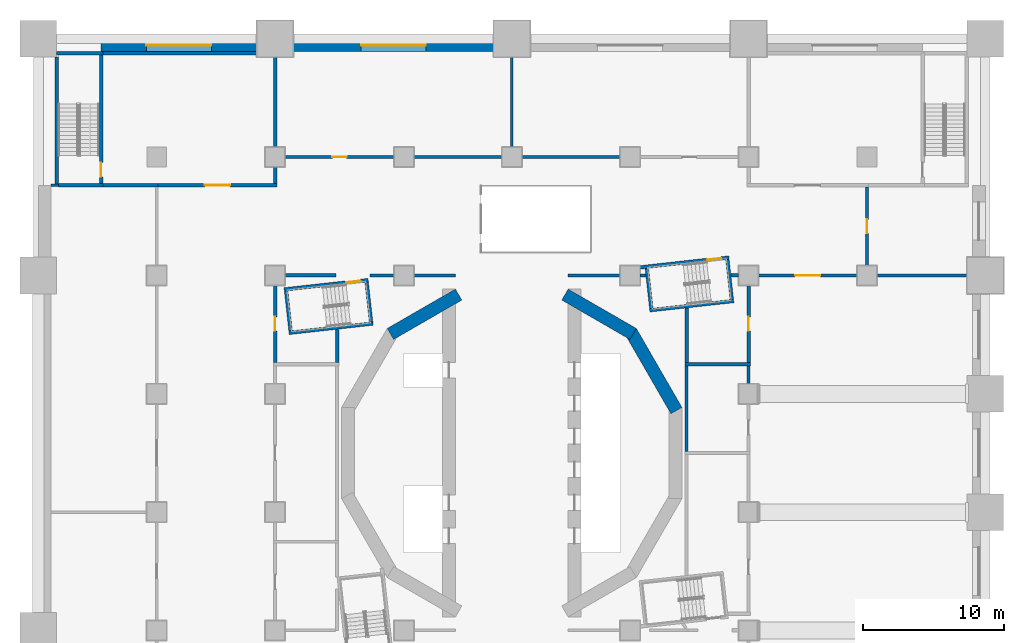
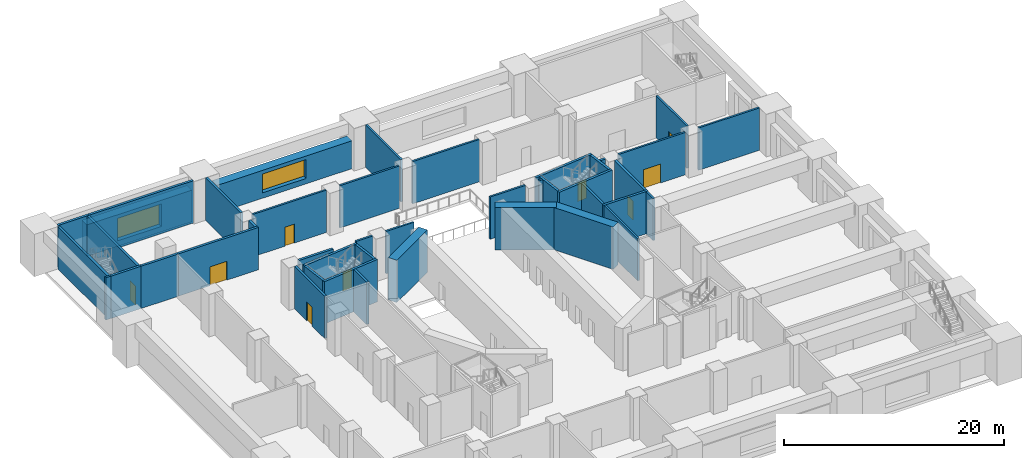
# One storey, part 4 of 17: 43 walls, 9 doors, 2 windows, 11 openings.
"""IFC4 building model written with IfcOpenShell, lengths in metres."""

import ifcopenshell
import ifcopenshell.guid

model = None  # the IFC model being written
_history = None  # IfcOwnerHistory: only IFC2X3 demands one
_inside = {}  # id of a spatial element -> (the spatial element, [elements in it])
_under = {}  # id of a project, library or spatial element -> (it, [spatial elements below it])
_declared = {}  # id of a project -> (the project, [libraries it declares])
_typed = {}  # id of a type object -> (the type object, [elements of that type])
_made_of = {}  # id of a material, layer set ... -> (it, [elements and type objects made of it])


def new_model(schema):
    """Start an empty IFC model of exactly this schema.

    Asked for "IFC4X3", IfcOpenShell would pick the latest addendum, in which some entities
    have other attributes; the version numbers below select the first issue.
    IFC2X3 requires an IfcOwnerHistory on every rooted entity: one is made here for all.
    """
    global model, _history
    if schema == "IFC4X3":
        model = ifcopenshell.file(schema_version=(4, 3, 0, 0))
    else:
        model = ifcopenshell.file(schema=schema)
    _inside.clear()
    _under.clear()
    _declared.clear()
    _typed.clear()
    _made_of.clear()
    _history = None
    if model.schema == "IFC2X3":
        org = make("IfcOrganization", Name="unknown")
        user = make(
            "IfcPersonAndOrganization",
            ThePerson=make("IfcPerson", FamilyName="unknown"),
            TheOrganization=org,
        )
        app = make(
            "IfcApplication",
            ApplicationDeveloper=org,
            Version="unknown",
            ApplicationFullName="unknown",
            ApplicationIdentifier="unknown",
        )
        _history = make(
            "IfcOwnerHistory",
            OwningUser=user,
            OwningApplication=app,
            ChangeAction="ADDED",
            CreationDate=0,
        )
    return model


def make(cls, **values):
    """One entity of the class cls with the attributes given. An attribute that is None is left unset."""
    return model.create_entity(
        cls, **{name: value for name, value in values.items() if value is not None}
    )


def rooted(cls, **values):
    """An entity with a GlobalId (a new one), such as an element, a storey or a relation."""
    return make(cls, GlobalId=ifcopenshell.guid.new(), OwnerHistory=_history, **values)


def si_unit(unit_type, name, prefix=None):
    """IfcSIUnit, for example si_unit("LENGTHUNIT", "METRE", prefix="MILLI")."""
    return make("IfcSIUnit", UnitType=unit_type, Prefix=prefix, Name=name)


def assignment(units):
    """IfcUnitAssignment: the units of a project."""
    return None if units is None else make("IfcUnitAssignment", Units=units)


def point(xyz):
    """IfcCartesianPoint."""
    return None if xyz is None else make("IfcCartesianPoint", Coordinates=xyz)


def direction(xyz):
    """IfcDirection."""
    return None if xyz is None else make("IfcDirection", DirectionRatios=xyz)


def frame(location, z_axis=None, x_axis=None):
    """IfcAxis2Placement3D, a coordinate frame: its origin and axes. An axis left out is left unset."""
    return make(
        "IfcAxis2Placement3D",
        Location=point(location),
        Axis=direction(z_axis),
        RefDirection=direction(x_axis),
    )


def frame_2d(location, x_axis=None):
    """IfcAxis2Placement2D, a coordinate frame in the plane: its origin and x axis."""
    return make(
        "IfcAxis2Placement2D", Location=point(location), RefDirection=direction(x_axis)
    )


def origin():
    """The frame at (0, 0, 0) with its axes left unset."""
    return frame((0.0, 0.0, 0.0))


def place(relative_to, where):
    """IfcLocalPlacement: puts the frame where relative to a parent placement (None: the world)."""
    return make(
        "IfcLocalPlacement", PlacementRelTo=relative_to, RelativePlacement=where
    )


def context(
    kind, dimensions, precision=None, world=None, true_north=None, identifier=None
):
    """IfcGeometricRepresentationContext, for example the 3D "Model" context."""
    return make(
        "IfcGeometricRepresentationContext",
        ContextIdentifier=identifier,
        ContextType=kind,
        CoordinateSpaceDimension=dimensions,
        Precision=precision,
        WorldCoordinateSystem=world,
        TrueNorth=true_north,
    )


def subcontext(parent, identifier, kind, view, scale=None):
    """IfcGeometricRepresentationSubContext, for example "Body" below "Model"."""
    return make(
        "IfcGeometricRepresentationSubContext",
        ContextIdentifier=identifier,
        ContextType=kind,
        ParentContext=parent,
        TargetScale=scale,
        TargetView=view,
    )


def project(units=None, contexts=None):
    """IfcProject with its units and contexts."""
    return rooted(
        "IfcProject",
        Name="project",
        RepresentationContexts=contexts,
        UnitsInContext=assignment(units),
    )


def spatial(cls, under=None, at=None, **own):
    """A site, building, storey or space (cls), placed at a placement, below another one or the project."""
    s = rooted(cls, ObjectPlacement=at, **own)
    if under is not None:
        _under.setdefault(under.id(), (under, []))[1].append(s)
    return s


def profile(cls, at=None, kind="AREA", **sizes):
    """A parametric profile (cls). Its sizes go by their IFC names, for example OverallWidth=200.0."""
    return make(cls, ProfileType=kind, Position=at, **sizes)


def rectangle(**sizes):
    """IfcRectangleProfileDef."""
    return profile("IfcRectangleProfileDef", **sizes)


def extrude(swept, where, along, depth):
    """IfcExtrudedAreaSolid: the profile swept, set in the frame where, extruded along a direction by depth."""
    return make(
        "IfcExtrudedAreaSolid",
        SweptArea=swept,
        Position=where,
        ExtrudedDirection=direction(along),
        Depth=depth,
    )


def shape(context_of_items, identifier, shape_type, items):
    """IfcShapeRepresentation: the items that make up one representation, for example the "Body"."""
    return make(
        "IfcShapeRepresentation",
        ContextOfItems=context_of_items,
        RepresentationIdentifier=identifier,
        RepresentationType=shape_type,
        Items=items,
    )


def material(Name=None, Category=None):
    """IfcMaterial."""
    return make("IfcMaterial", Name=Name, Category=Category)


def layer(
    of_material, thickness, ventilated=None, Name=None, Category=None, Priority=None
):
    """IfcMaterialLayer: one layer of a wall or slab, of a material (None: an air gap)."""
    return make(
        "IfcMaterialLayer",
        Material=of_material,
        LayerThickness=thickness,
        IsVentilated=ventilated,
        Name=Name,
        Category=Category,
        Priority=Priority,
    )


def layer_set(layers, Name=None):
    """IfcMaterialLayerSet."""
    return make("IfcMaterialLayerSet", MaterialLayers=layers, LayerSetName=Name)


def made_of(thing, what):
    """Note that an element or type object is made of a material, layer set ...; save() writes the relation."""
    if what is not None:
        _made_of.setdefault(what.id(), (what, []))[1].append(thing)
    return thing


def type_object(cls, material=None, **own):
    """A type object (cls), such as IfcWallType, which elements share."""
    return made_of(rooted(cls, **own), material)


def element(
    cls,
    number,
    at=None,
    inside=None,
    cuts=None,
    type_object=None,
    material=None,
    context=None,
    identifier="Body",
    shape_type=None,
    held_by="IfcProductDefinitionShape",
    body=None,
    shapes=None,
    **own,
):
    """One element of the class cls, such as IfcWall. Its Tag is "e" and its number.

    at: its placement. inside: the storey or other place that contains it. cuts: it is an
    opening in that element (IfcRelVoidsElement). A single representation is given by context,
    identifier, shape_type and body (its items); several are given by shapes. held_by: the class
    of the entity that holds the representations. save() writes the other relations.
    """
    e = rooted(cls, Tag="e%d" % number, ObjectPlacement=at, **own)
    if body is not None:
        shapes = [shape(context, identifier, shape_type, body)]
    if shapes is not None:
        e.Representation = make(held_by, Representations=shapes)
    if inside is not None:
        _inside.setdefault(inside.id(), (inside, []))[1].append(e)
    if cuts is not None:
        rooted(
            "IfcRelVoidsElement", RelatingBuildingElement=cuts, RelatedOpeningElement=e
        )
    if type_object is not None:
        _typed.setdefault(type_object.id(), (type_object, []))[1].append(e)
    return made_of(e, material)


def fill(opening, filler):
    """IfcRelFillsElement: the door or window that sits in an opening."""
    return rooted(
        "IfcRelFillsElement",
        RelatingOpeningElement=opening,
        RelatedBuildingElement=filler,
    )


def aggregate(whole, parts):
    """IfcRelAggregates: a whole, such as a stair, and the parts it consists of."""
    return rooted("IfcRelAggregates", RelatingObject=whole, RelatedObjects=parts)


def save(model, path):
    """Write the relations noted so far, then the file.

    IfcRelAggregates (storeys below a building ...), IfcRelContainedInSpatialStructure (elements
    in a storey), IfcRelDefinesByType, IfcRelAssociatesMaterial and IfcRelDeclares: one each for
    every whole, place, type object, material and project.
    """
    for whole, parts in _under.values():
        aggregate(whole, parts)
    for where, things in _inside.values():
        rooted(
            "IfcRelContainedInSpatialStructure",
            RelatedElements=things,
            RelatingStructure=where,
        )
    for kind, things in _typed.values():
        rooted("IfcRelDefinesByType", RelatedObjects=things, RelatingType=kind)
    for what, things in _made_of.values():
        rooted("IfcRelAssociatesMaterial", RelatedObjects=things, RelatingMaterial=what)
    for by, libraries in _declared.values():
        rooted("IfcRelDeclares", RelatingContext=by, RelatedDefinitions=libraries)
    model.write(path)


model = new_model("IFC4")

# Units and contexts
model_context = context("Model", 3, precision=1e-05, world=origin(), true_north=direction((0.0, 1.0)))
body_context = subcontext(model_context, "Body", "Model", "MODEL_VIEW")
ifc_project = project(units=[si_unit("LENGTHUNIT", "METRE"), si_unit("AREAUNIT", "SQUARE_METRE"), si_unit("VOLUMEUNIT", "CUBIC_METRE"), si_unit("PLANEANGLEUNIT", "RADIAN"), si_unit("MASSUNIT", "GRAM", prefix="KILO")], contexts=[model_context])

# Site, building, storey
site_placement = place(None, origin())
site = spatial("IfcSite", under=ifc_project, at=site_placement, CompositionType="ELEMENT")
building_placement = place(site_placement, origin())
building = spatial("IfcBuilding", under=site, at=building_placement, Name="Cantera Rosa Tower", CompositionType="ELEMENT")
storey_placement = place(building_placement, frame((0.0, 0.0, 22.0)))
storey = spatial("IfcBuildingStorey", under=building, at=storey_placement, Name="L03", CompositionType="ELEMENT", Elevation=22.0)

# Walls
ifc_material_1 = material(Name="Masonry blockwork", Category="masonry")
ifc_layer_1 = layer(ifc_material_1, 0.199951171875)
ifc_layer_set_1 = layer_set([ifc_layer_1], Name="Blockwork partition 200")
wall_type_1 = type_object("IfcWallType", Name="Blockwork partition 200", PredefinedType="PARTITIONING", material=ifc_layer_set_1)
wall_1_placement = place(storey_placement, frame((-10.07470703125, 12.60009765625, 0.0), z_axis=(0.0, 0.0, 1.0), x_axis=(1.0, 0.0, 0.0)))
element("IfcWall", 1, at=wall_1_placement, inside=storey, type_object=wall_type_1, Name="Partition L03-12", PredefinedType="PARTITIONING", context=body_context, shape_type="SweptSolid", body=[
    extrude(rectangle(XDim=1.724609375, YDim=0.199951171875, at=frame_2d((0.8623046875, 0.0))), origin(), (0.0, 0.0, 1.0), 4.699951171875),
])
wall_2_placement = place(storey_placement, frame((-6.949951171875, 12.60009765625, 0.0), z_axis=(0.0, 0.0, 1.0), x_axis=(1.0, 0.0, 0.0)))
element("IfcWall", 2, at=wall_2_placement, inside=storey, type_object=wall_type_1, Name="Partition L03-13", PredefinedType="PARTITIONING", context=body_context, shape_type="SweptSolid", body=[
    extrude(rectangle(XDim=2.949951171875, YDim=0.199951171875, at=frame_2d((1.47509765625, 0.0))), origin(), (0.0, 0.0, 1.0), 4.699951171875),
])
wall_3_placement = place(storey_placement, frame((4.0, 12.60009765625, 0.0), z_axis=(0.0, 0.0, 1.0), x_axis=(1.0, 0.0, 0.0)))
element("IfcWall", 3, at=wall_3_placement, inside=storey, type_object=wall_type_1, Name="Partition L03-14", PredefinedType="PARTITIONING", context=body_context, shape_type="SweptSolid", body=[
    extrude(rectangle(XDim=3.699951171875, YDim=0.199951171875, at=frame_2d((1.85009765625, 0.0))), origin(), (0.0, 0.0, 1.0), 4.699951171875),
])
wall_4_placement = place(storey_placement, frame((9.10009765625, 12.60009765625, 0.0), z_axis=(0.0, 0.0, 1.0), x_axis=(1.0, 0.0, 0.0)))
element("IfcWall", 4, at=wall_4_placement, inside=storey, type_object=wall_type_1, Name="Partition L03-15", PredefinedType="PARTITIONING", context=body_context, shape_type="SweptSolid", body=[
    extrude(rectangle(XDim=0.414794921875, YDim=0.199951171875, at=frame_2d((0.20751953125, 0.0))), origin(), (0.0, 0.0, 1.0), 4.699951171875),
])

# Wall, opening, door
wall_5_placement = place(storey_placement, frame((17.5, 12.60009765625, 0.0), z_axis=(0.0, 0.0, 1.0), x_axis=(1.0, 0.0, 0.0)))
wall_5 = element("IfcWall", 5, at=wall_5_placement, inside=storey, type_object=wall_type_1, Name="Partition L03-17", PredefinedType="PARTITIONING", context=body_context, shape_type="SweptSolid", body=[
    extrude(rectangle(XDim=7.0, YDim=0.199951171875, at=frame_2d((3.5, 0.0))), origin(), (0.0, 0.0, 1.0), 4.699951171875),
])
opening_1_placement = place(wall_5_placement, frame((2.60009765625, 0.0, 0.0)))
opening_1 = element("IfcOpeningElement", 6, at=opening_1_placement, cuts=wall_5, Name="Opening L03-009", PredefinedType="OPENING", context=body_context, shape_type="SweptSolid", body=[
    extrude(rectangle(XDim=1.800048828125, YDim=2.10009765625, at=frame_2d((0.89990234375, 1.050048828125))), frame((0.0, 0.10986328125, 0.0), z_axis=(0.0, -1.0, 0.0), x_axis=(1.0, 0.0, 0.0)), (0.0, 0.0, 1.0), 0.219970703125),
])
ifc_material_2 = material(Name="Timber", Category="wood")
door_type_1 = type_object("IfcDoorType", Name="Double door 1800x2100", OperationType="NOTDEFINED", PredefinedType="DOOR", material=ifc_material_2)
door_1_placement = place(opening_1_placement, origin())
door_1 = element("IfcDoor", 7, at=door_1_placement, inside=storey, type_object=door_type_1, Name="Door L03-009", OperationType="DOUBLE_DOOR_SINGLE_SWING", OverallHeight=2.10009765625, OverallWidth=1.800048828125, PredefinedType="DOOR", context=body_context, shape_type="SweptSolid", body=[
    extrude(rectangle(XDim=1.800048828125, YDim=2.10009765625, at=frame_2d((0.89990234375, 1.050048828125))), frame((0.0, 0.02490234375, 0.0), z_axis=(0.0, -1.0, 0.0), x_axis=(1.0, 0.0, 0.0)), (0.0, 0.0, 1.0), 0.050048828125),
])
fill(opening_1, door_1)

# Walls
wall_6_placement = place(storey_placement, frame((25.89990234375, 12.60009765625, 0.0), z_axis=(0.0, 0.0, 1.0), x_axis=(1.0, 0.0, 0.0)))
element("IfcWall", 8, at=wall_6_placement, inside=storey, type_object=wall_type_1, Name="Partition L03-18", PredefinedType="PARTITIONING", context=body_context, shape_type="SweptSolid", body=[
    extrude(rectangle(XDim=6.400146484375, YDim=0.199951171875, at=frame_2d((3.2001953125, 0.0))), origin(), (0.0, 0.0, 1.0), 4.699951171875),
])
wall_7_placement = place(storey_placement, frame((12.39990234375, 0.10009765625, 0.0), z_axis=(0.0, 0.0, 1.0), x_axis=(0.0, 1.0, 0.0)))
element("IfcWall", 9, at=wall_7_placement, inside=storey, type_object=wall_type_1, Name="Partition L03-21", PredefinedType="PARTITIONING", context=body_context, shape_type="SweptSolid", body=[
    extrude(rectangle(XDim=6.074951171875, YDim=0.199951171875, at=frame_2d((3.03759765625, 0.0))), origin(), (0.0, 0.0, 1.0), 4.699951171875),
])
wall_8_placement = place(storey_placement, frame((16.800048828125, 4.89990234375, 0.0), z_axis=(0.0, 0.0, 1.0), x_axis=(0.0, 1.0, 0.0)))
element("IfcWall", 10, at=wall_8_placement, inside=storey, type_object=wall_type_1, Name="Partition L03-30", PredefinedType="PARTITIONING", context=body_context, shape_type="SweptSolid", body=[
    extrude(rectangle(XDim=1.275146484375, YDim=0.199951171875, at=frame_2d((0.6376953125, 0.0))), origin(), (0.0, 0.0, 1.0), 4.699951171875),
])
wall_9_placement = place(storey_placement, frame((-32.699951171875, 19.0, 0.0), z_axis=(0.0, 0.0, 1.0), x_axis=(1.0, 0.0, 0.0)))
element("IfcWall", 11, at=wall_9_placement, inside=storey, type_object=wall_type_1, Name="Partition L03-56", PredefinedType="PARTITIONING", context=body_context, shape_type="SweptSolid", body=[
    extrude(rectangle(XDim=0.52490234375, YDim=0.199951171875, at=frame_2d((0.262451171875, 0.0))), origin(), (0.0, 0.0, 1.0), 4.699951171875),
])
wall_10_placement = place(storey_placement, frame((0.0, 21.699951171875, 0.0), z_axis=(0.0, 0.0, 1.0), x_axis=(0.0, 1.0, 0.0)))
element("IfcWall", 12, at=wall_10_placement, inside=storey, type_object=wall_type_1, Name="Partition L03-78", PredefinedType="PARTITIONING", context=body_context, shape_type="SweptSolid", body=[
    extrude(rectangle(XDim=6.400146484375, YDim=0.199951171875, at=frame_2d((3.2001953125, 0.0))), origin(), (0.0, 0.0, 1.0), 4.699951171875),
])

# Wall, opening, door
wall_11_placement = place(storey_placement, frame((-16.10009765625, 21.0, 0.0), z_axis=(0.0, 0.0, 1.0), x_axis=(1.0, 0.0, 0.0)))
wall_11 = element("IfcWall", 13, at=wall_11_placement, inside=storey, type_object=wall_type_1, Name="Partition L03-79", PredefinedType="PARTITIONING", context=body_context, shape_type="SweptSolid", body=[
    extrude(rectangle(XDim=7.75, YDim=0.199951171875, at=frame_2d((3.875, 0.0))), origin(), (0.0, 0.0, 1.0), 4.699951171875),
])
opening_2_placement = place(wall_11_placement, frame((3.375, 0.0, 0.0)))
opening_2 = element("IfcOpeningElement", 14, at=opening_2_placement, cuts=wall_11, Name="Opening L03-001", PredefinedType="OPENING", context=body_context, shape_type="SweptSolid", body=[
    extrude(rectangle(XDim=1.0, YDim=2.10009765625, at=frame_2d((0.5, 1.050048828125))), frame((0.0, 0.10986328125, 0.0), z_axis=(0.0, -1.0, 0.0), x_axis=(1.0, 0.0, 0.0)), (0.0, 0.0, 1.0), 0.219970703125),
])
ifc_material_3 = material(Name="Timber", Category="wood")
door_type_2 = type_object("IfcDoorType", Name="Door 1000x2100", OperationType="NOTDEFINED", PredefinedType="DOOR", material=ifc_material_3)
door_2_placement = place(opening_2_placement, origin())
door_2 = element("IfcDoor", 15, at=door_2_placement, inside=storey, type_object=door_type_2, Name="Door L03-001", OverallHeight=2.10009765625, OverallWidth=1.0, PredefinedType="DOOR", context=body_context, shape_type="SweptSolid", body=[
    extrude(rectangle(XDim=1.0, YDim=2.10009765625, at=frame_2d((0.5, 1.050048828125))), frame((0.0, 0.02490234375, 0.0), z_axis=(0.0, -1.0, 0.0), x_axis=(1.0, 0.0, 0.0)), (0.0, 0.0, 1.0), 0.050048828125),
])
fill(opening_2, door_2)

# Walls
wall_12_placement = place(storey_placement, frame((-6.949951171875, 21.0, 0.0), z_axis=(0.0, 0.0, 1.0), x_axis=(1.0, 0.0, 0.0)))
element("IfcWall", 16, at=wall_12_placement, inside=storey, type_object=wall_type_1, Name="Partition L03-80", PredefinedType="PARTITIONING", context=body_context, shape_type="SweptSolid", body=[
    extrude(rectangle(XDim=6.25, YDim=0.199951171875, at=frame_2d((3.125, 0.0))), origin(), (0.0, 0.0, 1.0), 4.699951171875),
])
wall_13_placement = place(storey_placement, frame((0.699951171875, 21.0, 0.0), z_axis=(0.0, 0.0, 1.0), x_axis=(1.0, 0.0, 0.0)))
element("IfcWall", 17, at=wall_13_placement, inside=storey, type_object=wall_type_1, Name="Partition L03-81", PredefinedType="PARTITIONING", context=body_context, shape_type="SweptSolid", body=[
    extrude(rectangle(XDim=7.0, YDim=0.199951171875, at=frame_2d((3.5, 0.0))), origin(), (0.0, 0.0, 1.0), 4.699951171875),
])

# Wall, opening, door
wall_14_placement = place(storey_placement, frame((25.199951171875, 13.300048828125, 0.0), z_axis=(0.0, 0.0, 1.0), x_axis=(0.0, 1.0, 0.0)))
wall_14 = element("IfcWall", 18, at=wall_14_placement, inside=storey, type_object=wall_type_1, Name="Partition L03-88", PredefinedType="PARTITIONING", context=body_context, shape_type="SweptSolid", body=[
    extrude(rectangle(XDim=5.574951171875, YDim=0.199951171875, at=frame_2d((2.78759765625, 0.0))), origin(), (0.0, 0.0, 1.0), 4.699951171875),
])
opening_3_placement = place(wall_14_placement, frame((2.28759765625, 0.0, 0.0)))
opening_3 = element("IfcOpeningElement", 19, at=opening_3_placement, cuts=wall_14, Name="Opening L03-006", PredefinedType="OPENING", context=body_context, shape_type="SweptSolid", body=[
    extrude(rectangle(XDim=1.0, YDim=2.10009765625, at=frame_2d((0.5, 1.050048828125))), frame((0.0, 0.10986328125, 0.0), z_axis=(0.0, -1.0, 0.0), x_axis=(1.0, 0.0, 0.0)), (0.0, 0.0, 1.0), 0.219970703125),
])
door_3_placement = place(opening_3_placement, origin())
door_3 = element("IfcDoor", 20, at=door_3_placement, inside=storey, type_object=door_type_2, Name="Door L03-006", OverallHeight=2.10009765625, OverallWidth=1.0, PredefinedType="DOOR", context=body_context, shape_type="SweptSolid", body=[
    extrude(rectangle(XDim=1.0, YDim=2.10009765625, at=frame_2d((0.5, 1.050048828125))), frame((0.0, 0.02490234375, 0.0), z_axis=(0.0, -1.0, 0.0), x_axis=(1.0, 0.0, 0.0)), (0.0, 0.0, 1.0), 0.050048828125),
])
fill(opening_3, door_3)

# Walls
ifc_material_4 = material(Name="Concrete C70/85", Category="concrete")
ifc_layer_2 = layer(ifc_material_4, 0.89990234375)
ifc_layer_set_2 = layer_set([ifc_layer_2], Name="Drum wall 900")
wall_type_2 = type_object("IfcWallType", Name="Drum wall 900", PredefinedType="SHEAR", material=ifc_layer_set_2)
for number, where, z_axis, x_axis, name in (
    (21, (-8.61376953125, 8.44921875, 0.0), (0.0, 0.0, 1.0), (0.866026961591, 0.49999730179, 0.0), "Drum wall west 5 L03"),
    (22, (3.77490234375, 11.242919921875, 0.0), (0.0, 0.0, 1.0), (0.866026961591, -0.49999730179, 0.0), "Drum wall east 1 L03"),
):
    element("IfcWall", number, at=place(storey_placement, frame(where, z_axis=z_axis, x_axis=x_axis)), inside=storey, type_object=wall_type_2, Name=name, PredefinedType="SHEAR", context=body_context, shape_type="SweptSolid", body=[
        extrude(rectangle(XDim=5.58740234375, YDim=0.89990234375, at=frame_2d((2.793701171875, 0.0))), origin(), (0.0, 0.0, 1.0), 4.699951171875),
    ])
wall_15_placement = place(storey_placement, frame((8.44921875, 8.61376953125, 0.0), z_axis=(0.0, 0.0, 1.0), x_axis=(0.499990282633, -0.866031014036, 0.0)))
element("IfcWall", 23, at=wall_15_placement, inside=storey, type_object=wall_type_2, Name="Drum wall east 2 L03", PredefinedType="SHEAR", context=body_context, shape_type="SweptSolid", body=[
    extrude(rectangle(XDim=6.470458984375, YDim=0.89990234375, at=frame_2d((3.2353515625, 0.0))), origin(), (0.0, 0.0, 1.0), 4.699951171875),
])
ifc_material_5 = material(Name="Concrete C50/60", Category="concrete")
ifc_layer_3 = layer(ifc_material_5, 0.25)
ifc_layer_set_3 = layer_set([ifc_layer_3], Name="External stair wall 250")
wall_type_3 = type_object("IfcWallType", Name="External stair wall 250", PredefinedType="SOLIDWALL", material=ifc_layer_set_3)
wall_16_placement = place(storey_placement, frame((-32.300048828125, 28.375, 0.0), z_axis=(0.0, 0.0, 1.0), x_axis=(1.0, 0.0, 0.0)))
element("IfcWall", 24, at=wall_16_placement, inside=storey, type_object=wall_type_3, Name="Stair wall L03-50", PredefinedType="SOLIDWALL", context=body_context, shape_type="SweptSolid", body=[
    extrude(rectangle(XDim=3.275146484375, YDim=0.25, at=frame_2d((1.6376953125, 0.0))), origin(), (0.0, 0.0, 1.0), 4.699951171875),
])
ifc_material_6 = material(Name="Masonry blockwork", Category="masonry")
ifc_layer_4 = layer(ifc_material_6, 0.25)
ifc_layer_set_4 = layer_set([ifc_layer_4], Name="Fire-rated external wall 250")
wall_type_4 = type_object("IfcWallType", Name="Fire-rated external wall 250", PredefinedType="PARTITIONING", material=ifc_layer_set_4)
wall_17_placement = place(storey_placement, frame((-29.02490234375, 28.375, 0.0), z_axis=(0.0, 0.0, 1.0), x_axis=(1.0, 0.0, 0.0)))
element("IfcWall", 25, at=wall_17_placement, inside=storey, type_object=wall_type_4, Name="Fire wall L03-51", PredefinedType="PARTITIONING", context=body_context, shape_type="SweptSolid", body=[
    extrude(rectangle(XDim=10.9248046875, YDim=0.25, at=frame_2d((5.46240234375, 0.0))), origin(), (0.0, 0.0, 1.0), 4.699951171875),
])
ifc_material_7 = material(Name="Masonry blockwork", Category="masonry")
ifc_layer_5 = layer(ifc_material_7, 0.25)
ifc_layer_set_5 = layer_set([ifc_layer_5], Name="Fire-rated wall 250")
wall_type_5 = type_object("IfcWallType", Name="Fire-rated wall 250", PredefinedType="PARTITIONING", material=ifc_layer_set_5)
wall_18_placement = place(storey_placement, frame((-12.39990234375, 6.425048828125, 0.0), z_axis=(0.0, 0.0, 1.0), x_axis=(0.0, 1.0, 0.0)))
element("IfcWall", 26, at=wall_18_placement, inside=storey, type_object=wall_type_5, Name="Fire wall L03-10", PredefinedType="PARTITIONING", context=body_context, shape_type="SweptSolid", body=[
    extrude(rectangle(XDim=2.356201171875, YDim=0.25, at=frame_2d((1.17822265625, 0.0))), origin(), (0.0, 0.0, 1.0), 4.699951171875),
])
wall_19_placement = place(storey_placement, frame((-16.10009765625, 12.60009765625, 0.0), z_axis=(0.0, 0.0, 1.0), x_axis=(1.0, 0.0, 0.0)))
element("IfcWall", 27, at=wall_19_placement, inside=storey, type_object=wall_type_5, Name="Fire wall L03-11", PredefinedType="PARTITIONING", context=body_context, shape_type="SweptSolid", body=[
    extrude(rectangle(XDim=3.610595703125, YDim=0.25, at=frame_2d((1.80517578125, 0.0))), origin(), (0.0, 0.0, 1.0), 4.699951171875),
])
wall_20_placement = place(storey_placement, frame((15.5517578125, 12.60009765625, 0.0), z_axis=(0.0, 0.0, 1.0), x_axis=(1.0, 0.0, 0.0)))
element("IfcWall", 28, at=wall_20_placement, inside=storey, type_object=wall_type_5, Name="Fire wall L03-16", PredefinedType="PARTITIONING", context=body_context, shape_type="SweptSolid", body=[
    extrude(rectangle(XDim=0.54833984375, YDim=0.25, at=frame_2d((0.274169921875, 0.0))), origin(), (0.0, 0.0, 1.0), 4.699951171875),
])

# Wall, opening, door
wall_21_placement = place(storey_placement, frame((16.800048828125, 6.425048828125, 0.0), z_axis=(0.0, 0.0, 1.0), x_axis=(0.0, 1.0, 0.0)))
wall_21 = element("IfcWall", 29, at=wall_21_placement, inside=storey, type_object=wall_type_5, Name="Fire wall L03-31", PredefinedType="PARTITIONING", context=body_context, shape_type="SweptSolid", body=[
    extrude(rectangle(XDim=5.474853515625, YDim=0.25, at=frame_2d((2.7373046875, 0.0))), origin(), (0.0, 0.0, 1.0), 4.699951171875),
])
opening_4_placement = place(wall_21_placement, frame((2.237548828125, 0.0, 0.0)))
opening_4 = element("IfcOpeningElement", 30, at=opening_4_placement, cuts=wall_21, Name="Opening L03-012", PredefinedType="OPENING", context=body_context, shape_type="SweptSolid", body=[
    extrude(rectangle(XDim=1.0, YDim=2.10009765625, at=frame_2d((0.5, 1.050048828125))), frame((0.0, 0.135009765625, 0.0), z_axis=(0.0, -1.0, 0.0), x_axis=(1.0, 0.0, 0.0)), (0.0, 0.0, 1.0), 0.27001953125),
])
ifc_material_8 = material(Name="Steel S355J2 (EN 10025-2)", Category="steel")
door_type_3 = type_object("IfcDoorType", Name="Fire door 1000x2100 EI 120", OperationType="NOTDEFINED", PredefinedType="DOOR", material=ifc_material_8)
door_4_placement = place(opening_4_placement, origin())
door_4 = element("IfcDoor", 31, at=door_4_placement, inside=storey, type_object=door_type_3, Name="Door L03-012", OverallHeight=2.10009765625, OverallWidth=1.0, PredefinedType="DOOR", context=body_context, shape_type="SweptSolid", body=[
    extrude(rectangle(XDim=1.0, YDim=2.10009765625, at=frame_2d((0.5, 1.050048828125))), frame((0.0, 0.02490234375, 0.0), z_axis=(0.0, -1.0, 0.0), x_axis=(1.0, 0.0, 0.0)), (0.0, 0.0, 1.0), 0.050048828125),
])
fill(opening_4, door_4)

# Wall
wall_22_placement = place(storey_placement, frame((12.27490234375, 6.300048828125, 0.0), z_axis=(0.0, 0.0, 1.0), x_axis=(1.0, 0.0, 0.0)))
element("IfcWall", 32, at=wall_22_placement, inside=storey, type_object=wall_type_5, Name="Fire wall L03-36", PredefinedType="PARTITIONING", context=body_context, shape_type="SweptSolid", body=[
    extrude(rectangle(XDim=4.650146484375, YDim=0.25, at=frame_2d((2.3251953125, 0.0))), origin(), (0.0, 0.0, 1.0), 4.699951171875),
])

# Wall, opening, door
wall_23_placement = place(storey_placement, frame((-16.800048828125, 6.425048828125, 0.0), z_axis=(0.0, 0.0, 1.0), x_axis=(0.0, 1.0, 0.0)))
wall_23 = element("IfcWall", 33, at=wall_23_placement, inside=storey, type_object=wall_type_5, Name="Fire wall L03-43", PredefinedType="PARTITIONING", context=body_context, shape_type="SweptSolid", body=[
    extrude(rectangle(XDim=5.474853515625, YDim=0.25, at=frame_2d((2.7373046875, 0.0))), origin(), (0.0, 0.0, 1.0), 4.699951171875),
])
opening_5_placement = place(wall_23_placement, frame((2.237548828125, 0.0, 0.0)))
opening_5 = element("IfcOpeningElement", 34, at=opening_5_placement, cuts=wall_23, Name="Opening L03-015", PredefinedType="OPENING", context=body_context, shape_type="SweptSolid", body=[
    extrude(rectangle(XDim=1.0, YDim=2.10009765625, at=frame_2d((0.5, 1.050048828125))), frame((0.0, 0.135009765625, 0.0), z_axis=(0.0, -1.0, 0.0), x_axis=(1.0, 0.0, 0.0)), (0.0, 0.0, 1.0), 0.27001953125),
])
door_5_placement = place(opening_5_placement, origin())
door_5 = element("IfcDoor", 35, at=door_5_placement, inside=storey, type_object=door_type_3, Name="Door L03-015", OverallHeight=2.10009765625, OverallWidth=1.0, PredefinedType="DOOR", context=body_context, shape_type="SweptSolid", body=[
    extrude(rectangle(XDim=1.0, YDim=2.10009765625, at=frame_2d((0.5, 1.050048828125))), frame((0.0, 0.02490234375, 0.0), z_axis=(0.0, -1.0, 0.0), x_axis=(1.0, 0.0, 0.0)), (0.0, 0.0, 1.0), 0.050048828125),
])
fill(opening_5, door_5)

# Walls
wall_24_placement = place(storey_placement, frame((-16.800048828125, 19.125, 0.0), z_axis=(0.0, 0.0, 1.0), x_axis=(0.0, 1.0, 0.0)))
element("IfcWall", 36, at=wall_24_placement, inside=storey, type_object=wall_type_5, Name="Fire wall L03-44", PredefinedType="PARTITIONING", context=body_context, shape_type="SweptSolid", body=[
    extrude(rectangle(XDim=1.175048828125, YDim=0.25, at=frame_2d((0.58740234375, 0.0))), origin(), (0.0, 0.0, 1.0), 4.699951171875),
])
wall_25_placement = place(storey_placement, frame((-16.800048828125, 21.699951171875, 0.0), z_axis=(0.0, 0.0, 1.0), x_axis=(0.0, 1.0, 0.0)))
element("IfcWall", 37, at=wall_25_placement, inside=storey, type_object=wall_type_5, Name="Fire wall L03-45", PredefinedType="PARTITIONING", context=body_context, shape_type="SweptSolid", body=[
    extrude(rectangle(XDim=6.400146484375, YDim=0.25, at=frame_2d((3.2001953125, 0.0))), origin(), (0.0, 0.0, 1.0), 4.699951171875),
])
wall_26_placement = place(storey_placement, frame((-29.02490234375, 19.0, 0.0), z_axis=(0.0, 0.0, 1.0), x_axis=(1.0, 0.0, 0.0)))
element("IfcWall", 38, at=wall_26_placement, inside=storey, type_object=wall_type_5, Name="Fire wall L03-58", PredefinedType="PARTITIONING", context=body_context, shape_type="SweptSolid", body=[
    extrude(rectangle(XDim=3.9248046875, YDim=0.25, at=frame_2d((1.96240234375, 0.0))), origin(), (0.0, 0.0, 1.0), 4.699951171875),
])

# Wall, opening, door
wall_27_placement = place(storey_placement, frame((-25.10009765625, 19.0, 0.0), z_axis=(0.0, 0.0, 1.0), x_axis=(1.0, 0.0, 0.0)))
wall_27 = element("IfcWall", 39, at=wall_27_placement, inside=storey, type_object=wall_type_5, Name="Fire wall L03-59", PredefinedType="PARTITIONING", context=body_context, shape_type="SweptSolid", body=[
    extrude(rectangle(XDim=8.425048828125, YDim=0.25, at=frame_2d((4.21240234375, 0.0))), origin(), (0.0, 0.0, 1.0), 4.699951171875),
])
opening_6_placement = place(wall_27_placement, frame((3.3125, 0.0, 0.0)))
opening_6 = element("IfcOpeningElement", 40, at=opening_6_placement, cuts=wall_27, Name="Opening L03-018", PredefinedType="OPENING", context=body_context, shape_type="SweptSolid", body=[
    extrude(rectangle(XDim=1.800048828125, YDim=2.10009765625, at=frame_2d((0.89990234375, 1.050048828125))), frame((0.0, 0.135009765625, 0.0), z_axis=(0.0, -1.0, 0.0), x_axis=(1.0, 0.0, 0.0)), (0.0, 0.0, 1.0), 0.27001953125),
])
ifc_material_9 = material(Name="Steel S355J2 (EN 10025-2)", Category="steel")
door_type_4 = type_object("IfcDoorType", Name="Fire double door 1800x2100", OperationType="NOTDEFINED", PredefinedType="DOOR", material=ifc_material_9)
door_6_placement = place(opening_6_placement, origin())
door_6 = element("IfcDoor", 41, at=door_6_placement, inside=storey, type_object=door_type_4, Name="Door L03-018", OperationType="DOUBLE_DOOR_SINGLE_SWING", OverallHeight=2.10009765625, OverallWidth=1.800048828125, PredefinedType="DOOR", context=body_context, shape_type="SweptSolid", body=[
    extrude(rectangle(XDim=1.800048828125, YDim=2.10009765625, at=frame_2d((0.89990234375, 1.050048828125))), frame((0.0, 0.02490234375, 0.0), z_axis=(0.0, -1.0, 0.0), x_axis=(1.0, 0.0, 0.0)), (0.0, 0.0, 1.0), 0.050048828125),
])
fill(opening_6, door_6)

# Walls
ifc_material_10 = material(Name="Concrete C50/60", Category="concrete")
ifc_layer_6 = layer(ifc_material_10, 0.25)
ifc_layer_set_6 = layer_set([ifc_layer_6], Name="RC stair wall 250 C50/60")
wall_type_6 = type_object("IfcWallType", Name="RC stair wall 250", PredefinedType="SOLIDWALL", material=ifc_layer_set_6)
wall_28_placement = place(storey_placement, frame((12.39990234375, 6.425048828125, 0.0), z_axis=(0.0, 0.0, 1.0), x_axis=(0.0, 1.0, 0.0)))
element("IfcWall", 42, at=wall_28_placement, inside=storey, type_object=wall_type_6, Name="Fire wall L03-22", PredefinedType="PARTITIONING", context=body_context, shape_type="SweptSolid", body=[
    extrude(rectangle(XDim=3.867431640625, YDim=0.25, at=frame_2d((1.93359375, 0.0))), origin(), (0.0, 0.0, 1.0), 4.699951171875),
])
wall_29_placement = place(storey_placement, frame((-32.175048828125, 19.0, 0.0), z_axis=(0.0, 0.0, 1.0), x_axis=(1.0, 0.0, 0.0)))
element("IfcWall", 43, at=wall_29_placement, inside=storey, type_object=wall_type_6, Name="Stair wall L03-57", PredefinedType="SOLIDWALL", context=body_context, shape_type="SweptSolid", body=[
    extrude(rectangle(XDim=3.150146484375, YDim=0.25, at=frame_2d((1.5751953125, 0.0))), origin(), (0.0, 0.0, 1.0), 4.699951171875),
])

# Wall, opening, door
wall_30_placement = place(storey_placement, frame((-29.14990234375, 19.125, 0.0), z_axis=(0.0, 0.0, 1.0), x_axis=(0.0, 1.0, 0.0)))
wall_30 = element("IfcWall", 44, at=wall_30_placement, inside=storey, type_object=wall_type_6, Name="Stair wall L03-64", PredefinedType="SOLIDWALL", context=body_context, shape_type="SweptSolid", body=[
    extrude(rectangle(XDim=9.25, YDim=0.25, at=frame_2d((4.625, 0.0))), origin(), (0.0, 0.0, 1.0), 4.699951171875),
])
opening_7_placement = place(wall_30_placement, frame((0.47509765625, 0.0, 0.0)))
opening_7 = element("IfcOpeningElement", 45, at=opening_7_placement, cuts=wall_30, Name="Opening L03-019", PredefinedType="OPENING", context=body_context, shape_type="SweptSolid", body=[
    extrude(rectangle(XDim=1.0, YDim=2.10009765625, at=frame_2d((0.5, 1.050048828125))), frame((0.0, 0.135009765625, 0.0), z_axis=(0.0, -1.0, 0.0), x_axis=(1.0, 0.0, 0.0)), (0.0, 0.0, 1.0), 0.27001953125),
])
door_7_placement = place(opening_7_placement, origin())
door_7 = element("IfcDoor", 46, at=door_7_placement, inside=storey, type_object=door_type_3, Name="Door L03-019", OverallHeight=2.10009765625, OverallWidth=1.0, PredefinedType="DOOR", context=body_context, shape_type="SweptSolid", body=[
    extrude(rectangle(XDim=1.0, YDim=2.10009765625, at=frame_2d((0.5, 1.050048828125))), frame((0.0, 0.02490234375, 0.0), z_axis=(0.0, -1.0, 0.0), x_axis=(1.0, 0.0, 0.0)), (0.0, 0.0, 1.0), 0.050048828125),
])
fill(opening_7, door_7)

# Walls
wall_31_placement = place(storey_placement, frame((-32.300048828125, 19.10009765625, 0.0), z_axis=(0.0, 0.0, 1.0), x_axis=(0.0, 1.0, 0.0)))
element("IfcWall", 47, at=wall_31_placement, inside=storey, type_object=wall_type_6, Name="Stair wall L03-66", PredefinedType="SOLIDWALL", context=body_context, shape_type="SweptSolid", body=[
    extrude(rectangle(XDim=9.0, YDim=0.25, at=frame_2d((4.5, 0.0))), origin(), (0.0, 0.0, 1.0), 4.699951171875),
])
wall_32_placement = place(storey_placement, frame((15.30029296875, 13.7333984375, 0.0), z_axis=(0.0, 0.0, 1.0), x_axis=(0.110252878147, -0.99390356819, 0.0)))
element("IfcWall", 48, at=wall_32_placement, inside=storey, type_object=wall_type_6, Name="Stair wall ST-11 L03-1", PredefinedType="SOLIDWALL", context=body_context, shape_type="SweptSolid", body=[
    extrude(rectangle(XDim=2.849853515625, YDim=0.25, at=frame_2d((1.4248046875, 0.0))), origin(), (0.0, 0.0, 1.0), 4.699951171875),
])
wall_33_placement = place(storey_placement, frame((15.752685546875, 10.790283203125, 0.0), z_axis=(0.0, 0.0, 1.0), x_axis=(-0.993897125329, -0.110310943534, 0.0)))
element("IfcWall", 49, at=wall_33_placement, inside=storey, type_object=wall_type_6, Name="Stair wall ST-11 L03-2", PredefinedType="SOLIDWALL", context=body_context, shape_type="SweptSolid", body=[
    extrude(rectangle(XDim=6.0, YDim=0.25, at=frame_2d((3.0, 0.0))), origin(), (0.0, 0.0, 1.0), 4.699951171875),
])
wall_34_placement = place(storey_placement, frame((9.899658203125, 10.2666015625, 0.0), z_axis=(0.0, 0.0, 1.0), x_axis=(-0.110252878147, 0.99390356819, 0.0)))
element("IfcWall", 50, at=wall_34_placement, inside=storey, type_object=wall_type_6, Name="Stair wall ST-11 L03-3", PredefinedType="SOLIDWALL", context=body_context, shape_type="SweptSolid", body=[
    extrude(rectangle(XDim=2.849853515625, YDim=0.25, at=frame_2d((1.4248046875, 0.0))), origin(), (0.0, 0.0, 1.0), 4.699951171875),
])

# Wall, opening, door
wall_35_placement = place(storey_placement, frame((9.1123046875, 13.17236328125, 0.0), z_axis=(0.0, 0.0, 1.0), x_axis=(0.993894066567, 0.110338499366, 0.0)))
wall_35 = element("IfcWall", 51, at=wall_35_placement, inside=storey, type_object=wall_type_6, Name="Stair wall ST-11 L03-4", PredefinedType="SOLIDWALL", context=body_context, shape_type="SweptSolid", body=[
    extrude(rectangle(XDim=6.3369140625, YDim=0.25, at=frame_2d((3.16845703125, 0.0))), origin(), (0.0, 0.0, 1.0), 4.699951171875),
])
opening_8_placement = place(wall_35_placement, frame((4.786865234375, 0.0, 0.0)))
opening_8 = element("IfcOpeningElement", 52, at=opening_8_placement, cuts=wall_35, Name="Opening L03-ST-11", PredefinedType="OPENING", context=body_context, shape_type="SweptSolid", body=[
    extrude(rectangle(XDim=1.0, YDim=2.10009765625, at=frame_2d((0.5, 1.050048828125))), frame((0.0, 0.135009765625, 0.0), z_axis=(0.0, -1.0, 0.0), x_axis=(1.0, 0.0, 0.0)), (0.0, 0.0, 1.0), 0.27001953125),
])
door_8_placement = place(opening_8_placement, origin())
door_8 = element("IfcDoor", 53, at=door_8_placement, inside=storey, type_object=door_type_3, Name="Door L03-ST-11", OverallHeight=2.10009765625, OverallWidth=1.0, PredefinedType="DOOR", context=body_context, shape_type="SweptSolid", body=[
    extrude(rectangle(XDim=1.0, YDim=2.10009765625, at=frame_2d((0.5, 1.050048828125))), frame((0.0, 0.02490234375, 0.0), z_axis=(0.0, -1.0, 0.0), x_axis=(1.0, 0.0, 0.0)), (0.0, 0.0, 1.0), 0.050048828125),
])
fill(opening_8, door_8)

# Walls
wall_36_placement = place(storey_placement, frame((-10.2998046875, 12.133544921875, 0.0), z_axis=(0.0, 0.0, 1.0), x_axis=(0.110328108544, -0.993895220063, 0.0)))
element("IfcWall", 54, at=wall_36_placement, inside=storey, type_object=wall_type_6, Name="Stair wall ST-12 L03-1", PredefinedType="SOLIDWALL", context=body_context, shape_type="SweptSolid", body=[
    extrude(rectangle(XDim=2.85009765625, YDim=0.25, at=frame_2d((1.425048828125, 0.0))), origin(), (0.0, 0.0, 1.0), 4.699951171875),
])
wall_37_placement = place(storey_placement, frame((-9.847412109375, 9.1904296875, 0.0), z_axis=(0.0, 0.0, 1.0), x_axis=(-0.993897125329, -0.110310943534, 0.0)))
element("IfcWall", 55, at=wall_37_placement, inside=storey, type_object=wall_type_6, Name="Stair wall ST-12 L03-2", PredefinedType="SOLIDWALL", context=body_context, shape_type="SweptSolid", body=[
    extrude(rectangle(XDim=6.0, YDim=0.25, at=frame_2d((3.0, 0.0))), origin(), (0.0, 0.0, 1.0), 4.699951171875),
])
wall_38_placement = place(storey_placement, frame((-15.7001953125, 8.66650390625, 0.0), z_axis=(0.0, 0.0, 1.0), x_axis=(-0.110328108544, 0.993895220063, 0.0)))
element("IfcWall", 56, at=wall_38_placement, inside=storey, type_object=wall_type_6, Name="Stair wall ST-12 L03-3", PredefinedType="SOLIDWALL", context=body_context, shape_type="SweptSolid", body=[
    extrude(rectangle(XDim=2.85009765625, YDim=0.25, at=frame_2d((1.425048828125, 0.0))), origin(), (0.0, 0.0, 1.0), 4.699951171875),
])

# Wall, opening, door
wall_39_placement = place(storey_placement, frame((-16.152587890625, 11.609619140625, 0.0), z_axis=(0.0, 0.0, 1.0), x_axis=(0.993897125329, 0.110310943534, 0.0)))
wall_39 = element("IfcWall", 57, at=wall_39_placement, inside=storey, type_object=wall_type_6, Name="Stair wall ST-12 L03-4", PredefinedType="SOLIDWALL", context=body_context, shape_type="SweptSolid", body=[
    extrude(rectangle(XDim=6.0, YDim=0.25, at=frame_2d((3.0, 0.0))), origin(), (0.0, 0.0, 1.0), 4.699951171875),
])
opening_9_placement = place(wall_39_placement, frame((4.449951171875, 0.0, 0.0)))
opening_9 = element("IfcOpeningElement", 58, at=opening_9_placement, cuts=wall_39, Name="Opening L03-ST-12", PredefinedType="OPENING", context=body_context, shape_type="SweptSolid", body=[
    extrude(rectangle(XDim=1.0, YDim=2.10009765625, at=frame_2d((0.5, 1.050048828125))), frame((0.0, 0.135009765625, 0.0), z_axis=(0.0, -1.0, 0.0), x_axis=(1.0, 0.0, 0.0)), (0.0, 0.0, 1.0), 0.27001953125),
])
door_9_placement = place(opening_9_placement, origin())
door_9 = element("IfcDoor", 59, at=door_9_placement, inside=storey, type_object=door_type_3, Name="Door L03-ST-12", OverallHeight=2.10009765625, OverallWidth=1.0, PredefinedType="DOOR", context=body_context, shape_type="SweptSolid", body=[
    extrude(rectangle(XDim=1.0, YDim=2.10009765625, at=frame_2d((0.5, 1.050048828125))), frame((0.0, 0.02490234375, 0.0), z_axis=(0.0, -1.0, 0.0), x_axis=(1.0, 0.0, 0.0)), (0.0, 0.0, 1.0), 0.050048828125),
])
fill(opening_9, door_9)

# Wall, opening, window
ifc_material_11 = material(Name="Concrete C40/50 with limestone facing", Category="masonry")
ifc_layer_7 = layer(ifc_material_11, 0.89990234375)
ifc_layer_set_7 = layer_set([ifc_layer_7], Name="Stone podium wall 900")
wall_type_7 = type_object("IfcWallType", Name="Stone podium wall 900", PredefinedType="SOLIDWALL", material=ifc_layer_set_7)
wall_40_placement = place(storey_placement, frame((-29.14990234375, 28.949951171875, 0.0), z_axis=(0.0, 0.0, 1.0), x_axis=(1.0, 0.0, 0.0)))
wall_40 = element("IfcWall", 60, at=wall_40_placement, inside=storey, type_object=wall_type_7, Name="Stone wall N L03-1", PredefinedType="SOLIDWALL", context=body_context, shape_type="SweptSolid", body=[
    extrude(rectangle(XDim=11.0498046875, YDim=0.89990234375, at=frame_2d((5.52490234375, 0.0))), origin(), (0.0, 0.0, 1.0), 3.5),
])
opening_10_placement = place(wall_40_placement, frame((3.22509765625, 0.0, 0.60009765625)))
opening_10 = element("IfcOpeningElement", 61, at=opening_10_placement, cuts=wall_40, Name="Opening L03-PWN1", PredefinedType="OPENING", context=body_context, shape_type="SweptSolid", body=[
    extrude(rectangle(XDim=4.60009765625, YDim=2.5, at=frame_2d((2.300048828125, 1.25))), frame((0.0, 0.4599609375, 0.0), z_axis=(0.0, -1.0, 0.0), x_axis=(1.0, 0.0, 0.0)), (0.0, 0.0, 1.0), 0.919921875),
])
ifc_material_12 = material(Name="Glass", Category="glass")
window_type_1 = type_object("IfcWindowType", Name="Podium window 4600x2500", PartitioningType="SINGLE_PANEL", PredefinedType="WINDOW", material=ifc_material_12)
window_1_placement = place(opening_10_placement, origin())
window_1 = element("IfcWindow", 62, at=window_1_placement, inside=storey, type_object=window_type_1, Name="Podium window L03-N1", OverallHeight=2.5, OverallWidth=4.60009765625, PartitioningType="SINGLE_PANEL", PredefinedType="WINDOW", context=body_context, shape_type="SweptSolid", body=[
    extrude(rectangle(XDim=4.60009765625, YDim=2.5, at=frame_2d((2.300048828125, 1.25))), frame((0.0, 0.030029296875, 0.0), z_axis=(0.0, -1.0, 0.0), x_axis=(1.0, 0.0, 0.0)), (0.0, 0.0, 1.0), 0.06005859375),
])
fill(opening_10, window_1)

ifc_material_13 = material(Name="Concrete C40/50 with limestone facing", Category="masonry")
ifc_layer_8 = layer(ifc_material_13, 0.89990234375)
ifc_layer_set_8 = layer_set([ifc_layer_8], Name="Stone podium wall 900 under deep girder")
wall_type_8 = type_object("IfcWallType", Name="Stone podium wall 900 under deep girder", PredefinedType="SOLIDWALL", material=ifc_layer_set_8)
wall_41_placement = place(storey_placement, frame((-15.5, 28.949951171875, 0.0), z_axis=(0.0, 0.0, 1.0), x_axis=(1.0, 0.0, 0.0)))
wall_41 = element("IfcWall", 63, at=wall_41_placement, inside=storey, type_object=wall_type_8, Name="Stone wall N L03-2", PredefinedType="SOLIDWALL", context=body_context, shape_type="SweptSolid", body=[
    extrude(rectangle(XDim=14.199951171875, YDim=0.89990234375, at=frame_2d((7.10009765625, 0.0))), origin(), (0.0, 0.0, 1.0), 3.10009765625),
])
opening_11_placement = place(wall_41_placement, frame((4.800048828125, 0.0, 0.60009765625)))
opening_11 = element("IfcOpeningElement", 64, at=opening_11_placement, cuts=wall_41, Name="Opening L03-PWN2", PredefinedType="OPENING", context=body_context, shape_type="SweptSolid", body=[
    extrude(rectangle(XDim=4.60009765625, YDim=2.10009765625, at=frame_2d((2.300048828125, 1.050048828125))), frame((0.0, 0.4599609375, 0.0), z_axis=(0.0, -1.0, 0.0), x_axis=(1.0, 0.0, 0.0)), (0.0, 0.0, 1.0), 0.919921875),
])
ifc_material_14 = material(Name="Glass", Category="glass")
window_type_2 = type_object("IfcWindowType", Name="Podium window 4600x2100", PartitioningType="SINGLE_PANEL", PredefinedType="WINDOW", material=ifc_material_14)
window_2_placement = place(opening_11_placement, origin())
window_2 = element("IfcWindow", 65, at=window_2_placement, inside=storey, type_object=window_type_2, Name="Podium window L03-N2", OverallHeight=2.10009765625, OverallWidth=4.60009765625, PartitioningType="SINGLE_PANEL", PredefinedType="WINDOW", context=body_context, shape_type="SweptSolid", body=[
    extrude(rectangle(XDim=4.60009765625, YDim=2.10009765625, at=frame_2d((2.300048828125, 1.050048828125))), frame((0.0, 0.030029296875, 0.0), z_axis=(0.0, -1.0, 0.0), x_axis=(1.0, 0.0, 0.0)), (0.0, 0.0, 1.0), 0.06005859375),
])
fill(opening_11, window_2)

save(model, "model.ifc")
